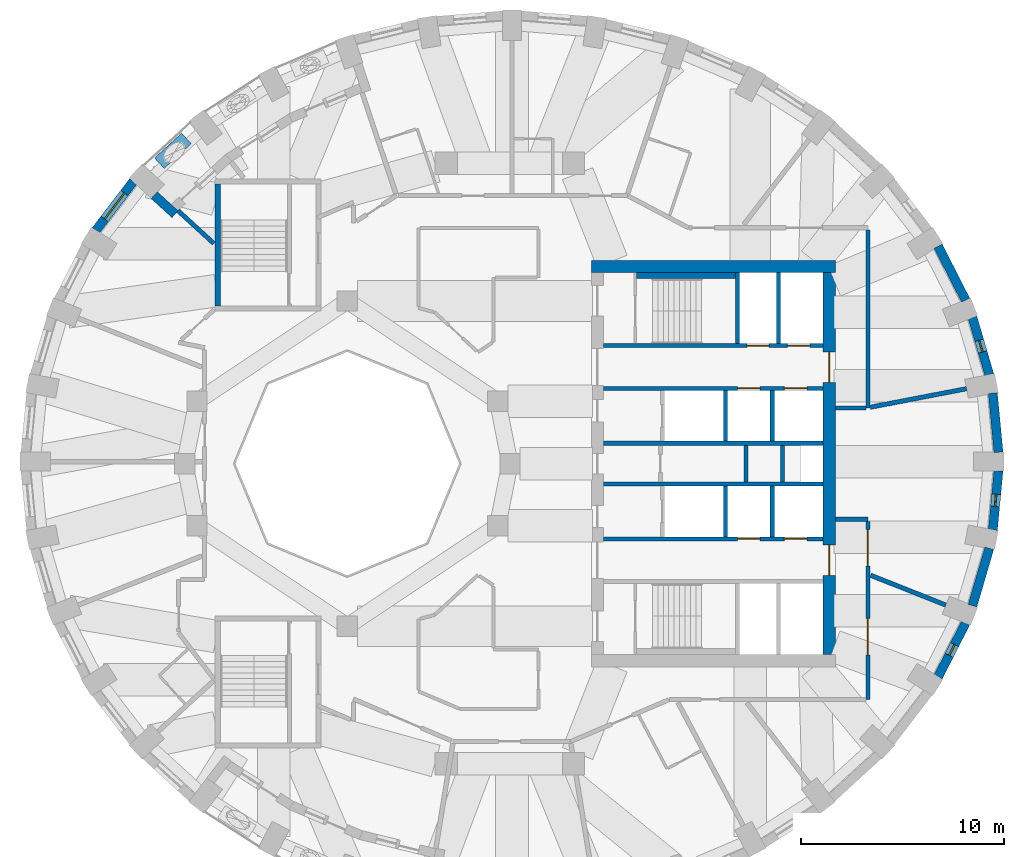
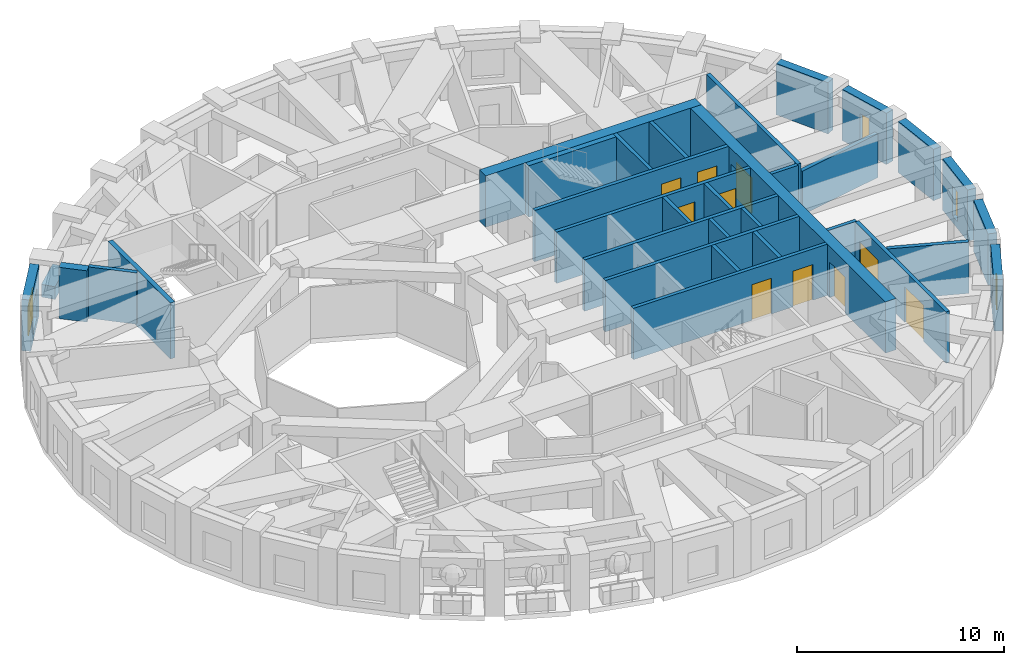
# One storey, part 6 of 12: 33 walls, 10 doors, 4 windows, 14 openings.
"""IFC4 building model written with IfcOpenShell, lengths in metres."""

from ifc_helpers import new_model, si_unit, direction, frame, frame_2d, origin, place, context, subcontext, project, spatial, rectangle, extrude, material, layer, layer_set, constituent, constituent_set, type_object, element, fill, save


model = new_model("IFC4")

# Units and contexts
model_context = context("Model", 3, precision=1e-05, world=origin(), true_north=direction((0.0, 1.0)))
body_context = subcontext(model_context, "Body", "Model", "MODEL_VIEW")
ifc_project = project(units=[si_unit("LENGTHUNIT", "METRE"), si_unit("AREAUNIT", "SQUARE_METRE"), si_unit("VOLUMEUNIT", "CUBIC_METRE"), si_unit("PLANEANGLEUNIT", "RADIAN"), si_unit("MASSUNIT", "GRAM", prefix="KILO")], contexts=[model_context])

# Site, building, storey
site_placement = place(None, origin())
site = spatial("IfcSite", under=ifc_project, at=site_placement, CompositionType="ELEMENT")
building_placement = place(site_placement, origin())
building = spatial("IfcBuilding", under=site, at=building_placement, Name="Taillehof Tower", CompositionType="ELEMENT")
storey_placement = place(building_placement, frame((0.0, 0.0, 171.5)))
storey = spatial("IfcBuildingStorey", under=building, at=storey_placement, Name="L48", CompositionType="ELEMENT", Elevation=171.5)

# Wall
ifc_material_1 = material(Name="Brick masonry", Category="masonry")
ifc_layer_1 = layer(ifc_material_1, 0.449951171875)
ifc_layer_set_1 = layer_set([ifc_layer_1], Name="Brick infill wall 450")
wall_type_1 = type_object("IfcWallType", Name="Brick infill wall 450", PredefinedType="SOLIDWALL", material=ifc_layer_set_1)
wall_1_placement = place(storey_placement, frame((24.030517578125, 0.55517578125, 0.0), z_axis=(0.0, 0.0, 1.0), x_axis=(-0.095265737322, 0.995451876935, 0.0)))
element("IfcWall", 1, at=wall_1_placement, inside=storey, type_object=wall_type_1, Name="Brick wall L48 bay 1", PredefinedType="SOLIDWALL", context=body_context, shape_type="SweptSolid", body=[
    extrude(rectangle(XDim=2.9267578125, YDim=0.449951171875, at=frame_2d((1.46337890625, 0.0))), origin(), (0.0, 0.0, 1.0), 3.02001953125),
])

# Wall, opening, window
wall_2_placement = place(storey_placement, frame((23.579833984375, 4.3623046875, 0.0), z_axis=(0.0, 0.0, 1.0), x_axis=(-0.281049481624, 0.959693278542, 0.0)))
wall_2 = element("IfcWall", 2, at=wall_2_placement, inside=storey, type_object=wall_type_1, Name="Brick wall L48 bay 2", PredefinedType="SOLIDWALL", context=body_context, shape_type="SweptSolid", body=[
    extrude(rectangle(XDim=2.947509765625, YDim=0.449951171875, at=frame_2d((1.4736328125, 0.0))), origin(), (0.0, 0.0, 1.0), 3.02001953125),
])
opening_1_placement = place(wall_2_placement, frame((1.173583984375, 0.0, 0.39990234375)))
opening_1 = element("IfcOpeningElement", 3, at=opening_1_placement, cuts=wall_2, Name="Opening W6", PredefinedType="OPENING", context=body_context, shape_type="SweptSolid", body=[
    extrude(rectangle(XDim=0.60009765625, YDim=1.75, at=frame_2d((0.300048828125, 0.875))), frame((0.0, 0.23486328125, 0.0), z_axis=(0.0, -1.0, 0.0), x_axis=(1.0, 0.0, 0.0)), (0.0, 0.0, 1.0), 0.469970703125),
])
ifc_material_2 = material(Name="Aluminium window frame with clear double glazing", Category="aluminium")
window_type_1 = type_object("IfcWindowType", Name="Slot window 600x1750", PartitioningType="SINGLE_PANEL", PredefinedType="WINDOW", material=ifc_material_2)
window_1_placement = place(opening_1_placement, origin())
window_1 = element("IfcWindow", 4, at=window_1_placement, inside=storey, type_object=window_type_1, Name="W6", OverallHeight=1.75, OverallWidth=0.60009765625, PartitioningType="SINGLE_PANEL", PredefinedType="WINDOW", context=body_context, shape_type="SweptSolid", body=[
    extrude(rectangle(XDim=0.60009765625, YDim=1.75, at=frame_2d((0.300048828125, 0.875))), frame((0.0, 0.034912109375, 0.0), z_axis=(0.0, -1.0, 0.0), x_axis=(1.0, 0.0, 0.0)), (0.0, 0.0, 1.0), 0.06005859375),
])
fill(opening_1, window_1)

# Wall
wall_3_placement = place(storey_placement, frame((22.415283203125, 8.036865234375, 0.0), z_axis=(0.0, 0.0, 1.0), x_axis=(-0.454133999889, 0.890933392653, 0.0)))
element("IfcWall", 5, at=wall_3_placement, inside=storey, type_object=wall_type_1, Name="Brick wall L48 bay 3", PredefinedType="SOLIDWALL", context=body_context, shape_type="SweptSolid", body=[
    extrude(rectangle(XDim=2.98583984375, YDim=0.449951171875, at=frame_2d((1.492919921875, 0.0))), origin(), (0.0, 0.0, 1.0), 3.02001953125),
])

# Wall, opening, window
wall_4_placement = place(storey_placement, frame((-18.528076171875, 13.878662109375, 0.0), z_axis=(0.0, 0.0, 1.0), x_axis=(-0.607817056371, -0.794077090706, 0.0)))
wall_4 = element("IfcWall", 6, at=wall_4_placement, inside=storey, type_object=wall_type_1, Name="Brick wall L48 bay 15", PredefinedType="SOLIDWALL", context=body_context, shape_type="SweptSolid", body=[
    extrude(rectangle(XDim=3.037109375, YDim=0.449951171875, at=frame_2d((1.5185546875, 0.0))), origin(), (0.0, 0.0, 1.0), 3.02001953125),
])
opening_2_placement = place(wall_4_placement, frame((0.718505859375, 0.0, 0.39990234375)))
opening_2 = element("IfcOpeningElement", 7, at=opening_2_placement, cuts=wall_4, Name="Opening W3", PredefinedType="OPENING", context=body_context, shape_type="SweptSolid", body=[
    extrude(rectangle(XDim=1.60009765625, YDim=1.75, at=frame_2d((0.800048828125, 0.875))), frame((0.0, 0.23486328125, 0.0), z_axis=(0.0, -1.0, 0.0), x_axis=(1.0, 0.0, 0.0)), (0.0, 0.0, 1.0), 0.469970703125),
])
ifc_material_3 = material(Name="Aluminium window frame with clear double glazing", Category="aluminium")
window_type_2 = type_object("IfcWindowType", Name="Deep-set window 1600x1750", PartitioningType="SINGLE_PANEL", PredefinedType="WINDOW", material=ifc_material_3)
window_2_placement = place(opening_2_placement, origin())
window_2 = element("IfcWindow", 8, at=window_2_placement, inside=storey, type_object=window_type_2, Name="W3", OverallHeight=1.75, OverallWidth=1.60009765625, PartitioningType="SINGLE_PANEL", PredefinedType="WINDOW", context=body_context, shape_type="SweptSolid", body=[
    extrude(rectangle(XDim=1.60009765625, YDim=1.75, at=frame_2d((0.800048828125, 0.875))), frame((0.0, 0.034912109375, 0.0), z_axis=(0.0, -1.0, 0.0), x_axis=(1.0, 0.0, 0.0)), (0.0, 0.0, 1.0), 0.06005859375),
])
fill(opening_2, window_2)

wall_5_placement = place(storey_placement, frame((21.059326171875, -10.4970703125, 0.0), z_axis=(0.0, 0.0, 1.0), x_axis=(0.454133999889, 0.890933392653, 0.0)))
wall_5 = element("IfcWall", 9, at=wall_5_placement, inside=storey, type_object=wall_type_1, Name="Brick wall L48 bay 34", PredefinedType="SOLIDWALL", context=body_context, shape_type="SweptSolid", body=[
    extrude(rectangle(XDim=2.98583984375, YDim=0.449951171875, at=frame_2d((1.492919921875, 0.0))), origin(), (0.0, 0.0, 1.0), 3.02001953125),
])
opening_3_placement = place(wall_5_placement, frame((1.19287109375, 0.0, 0.39990234375)))
opening_3 = element("IfcOpeningElement", 10, at=opening_3_placement, cuts=wall_5, Name="Opening W6", PredefinedType="OPENING", context=body_context, shape_type="SweptSolid", body=[
    extrude(rectangle(XDim=0.60009765625, YDim=1.75, at=frame_2d((0.300048828125, 0.875))), frame((0.0, 0.23486328125, 0.0), z_axis=(0.0, -1.0, 0.0), x_axis=(1.0, 0.0, 0.0)), (0.0, 0.0, 1.0), 0.469970703125),
])
window_3_placement = place(opening_3_placement, origin())
window_3 = element("IfcWindow", 11, at=window_3_placement, inside=storey, type_object=window_type_1, Name="W6", OverallHeight=1.75, OverallWidth=0.60009765625, PartitioningType="SINGLE_PANEL", PredefinedType="WINDOW", context=body_context, shape_type="SweptSolid", body=[
    extrude(rectangle(XDim=0.60009765625, YDim=1.75, at=frame_2d((0.300048828125, 0.875))), frame((0.0, 0.034912109375, 0.0), z_axis=(0.0, -1.0, 0.0), x_axis=(1.0, 0.0, 0.0)), (0.0, 0.0, 1.0), 0.06005859375),
])
fill(opening_3, window_3)

# Wall
wall_6_placement = place(storey_placement, frame((22.75146484375, -6.990966796875, 0.0), z_axis=(0.0, 0.0, 1.0), x_axis=(0.281049481624, 0.959693278542, 0.0)))
element("IfcWall", 12, at=wall_6_placement, inside=storey, type_object=wall_type_1, Name="Brick wall L48 bay 35", PredefinedType="SOLIDWALL", context=body_context, shape_type="SweptSolid", body=[
    extrude(rectangle(XDim=2.947509765625, YDim=0.449951171875, at=frame_2d((1.4736328125, 0.0))), origin(), (0.0, 0.0, 1.0), 3.02001953125),
])

# Wall, opening, window
wall_7_placement = place(storey_placement, frame((23.751708984375, -3.2685546875, 0.0), z_axis=(0.0, 0.0, 1.0), x_axis=(0.095257827044, 0.995452633924, 0.0)))
wall_7 = element("IfcWall", 13, at=wall_7_placement, inside=storey, type_object=wall_type_1, Name="Brick wall L48 bay 36", PredefinedType="SOLIDWALL", context=body_context, shape_type="SweptSolid", body=[
    extrude(rectangle(XDim=2.927001953125, YDim=0.449951171875, at=frame_2d((1.46337890625, 0.0))), origin(), (0.0, 0.0, 1.0), 3.02001953125),
])
opening_4_placement = place(wall_7_placement, frame((1.163330078125, 0.0, 0.39990234375)))
opening_4 = element("IfcOpeningElement", 14, at=opening_4_placement, cuts=wall_7, Name="Opening W6", PredefinedType="OPENING", context=body_context, shape_type="SweptSolid", body=[
    extrude(rectangle(XDim=0.60009765625, YDim=1.75, at=frame_2d((0.300048828125, 0.875))), frame((0.0, 0.23486328125, 0.0), z_axis=(0.0, -1.0, 0.0), x_axis=(1.0, 0.0, 0.0)), (0.0, 0.0, 1.0), 0.469970703125),
])
window_4_placement = place(opening_4_placement, origin())
window_4 = element("IfcWindow", 15, at=window_4_placement, inside=storey, type_object=window_type_1, Name="W6", OverallHeight=1.75, OverallWidth=0.60009765625, PartitioningType="SINGLE_PANEL", PredefinedType="WINDOW", context=body_context, shape_type="SweptSolid", body=[
    extrude(rectangle(XDim=0.60009765625, YDim=1.75, at=frame_2d((0.300048828125, 0.875))), frame((0.0, 0.034912109375, 0.0), z_axis=(0.0, -1.0, 0.0), x_axis=(1.0, 0.0, 0.0)), (0.0, 0.0, 1.0), 0.06005859375),
])
fill(opening_4, window_4)

# Walls
wall_8_placement = place(storey_placement, frame((-17.49853515625, 13.205322265625, 0.0), z_axis=(0.0, 0.0, 1.0), x_axis=(0.737918885826, -0.674889411638, 0.0)))
element("IfcWall", 16, at=wall_8_placement, inside=storey, type_object=wall_type_1, Name="Brick reveal L48 pocket 3", PredefinedType="SOLIDWALL", context=body_context, shape_type="SweptSolid", body=[
    extrude(rectangle(XDim=1.390625, YDim=0.449951171875, at=frame_2d((0.6953125, 0.0))), origin(), (0.0, 0.0, 1.0), 3.02001953125),
])
ifc_material_4 = material(Name="Calcium silicate masonry", Category="masonry")
ifc_layer_2 = layer(ifc_material_4, 0.199951171875)
ifc_layer_set_2 = layer_set([ifc_layer_2], Name="Compartment wall calcium silicate 200")
wall_type_2 = type_object("IfcWallType", Name="Compartment wall calcium silicate 200", PredefinedType="PARTITIONING", material=ifc_layer_set_2)
for number, where, z_axis, x_axis, name in (
    (17, (11.60009765625, -0.89990234375, 0.0), (0.0, 0.0, 1.0), (0.0, 1.0, 0.0), "Compartment wall FW"),
    (18, (13.39990234375, -0.89990234375, 0.0), (0.0, 0.0, 1.0), (0.0, 1.0, 0.0), "Compartment wall FW"),
):
    element("IfcWall", number, at=place(storey_placement, frame(where, z_axis=z_axis, x_axis=x_axis)), inside=storey, type_object=wall_type_2, Name=name, PredefinedType="PARTITIONING", context=body_context, shape_type="SweptSolid", body=[
        extrude(rectangle(XDim=1.7998046875, YDim=0.199951171875, at=frame_2d((0.89990234375, 0.0))), origin(), (0.0, 0.0, 1.0), 3.02001953125),
    ])
ifc_material_5 = material(Name="Gypsum board on steel studs, two layers each side", Category="steel")
ifc_layer_3 = layer(ifc_material_5, 0.199951171875)
ifc_layer_set_3 = layer_set([ifc_layer_3], Name="Compartment wall corridor 200")
wall_type_3 = type_object("IfcWallType", Name="Compartment wall corridor 200", PredefinedType="PARTITIONING", material=ifc_layer_set_3)
wall_9_placement = place(storey_placement, frame((17.60009765625, 11.5, 0.0), z_axis=(0.0, 0.0, 1.0), x_axis=(0.0, -1.0, 0.0)))
element("IfcWall", 19, at=wall_9_placement, inside=storey, type_object=wall_type_3, Name="Compartment wall", PredefinedType="PARTITIONING", context=body_context, shape_type="SweptSolid", body=[
    extrude(rectangle(XDim=8.76220703125, YDim=0.199951171875, at=frame_2d((4.381103515625, 0.0))), origin(), (0.0, 0.0, 1.0), 3.02001953125),
])
wall_10_placement = place(storey_placement, frame((17.5, 2.73779296875, 0.0), z_axis=(0.0, 0.0, 1.0), x_axis=(-1.0, 0.0, 0.0)))
element("IfcWall", 20, at=wall_10_placement, inside=storey, type_object=wall_type_3, Name="Compartment wall", PredefinedType="PARTITIONING", context=body_context, shape_type="SweptSolid", body=[
    extrude(rectangle(XDim=1.49609375, YDim=0.199951171875, at=frame_2d((0.748046875, 0.0))), origin(), (0.0, 0.0, 1.0), 3.02001953125),
])
wall_11_placement = place(storey_placement, frame((16.00390625, -2.73779296875, 0.0), z_axis=(0.0, 0.0, 1.0), x_axis=(1.0, 0.0, 0.0)))
element("IfcWall", 21, at=wall_11_placement, inside=storey, type_object=wall_type_3, Name="Compartment wall", PredefinedType="PARTITIONING", context=body_context, shape_type="SweptSolid", body=[
    extrude(rectangle(XDim=1.59619140625, YDim=0.199951171875, at=frame_2d((0.798095703125, 0.0))), origin(), (0.0, 0.0, 1.0), 3.02001953125),
])

# Wall, openings, doors
wall_12_placement = place(storey_placement, frame((17.60009765625, -2.837890625, 0.0), z_axis=(0.0, 0.0, 1.0), x_axis=(0.0, -1.0, 0.0)))
wall_12 = element("IfcWall", 22, at=wall_12_placement, inside=storey, type_object=wall_type_3, Name="Compartment wall", PredefinedType="PARTITIONING", context=body_context, shape_type="SweptSolid", body=[
    extrude(rectangle(XDim=8.76220703125, YDim=0.199951171875, at=frame_2d((4.381103515625, 0.0))), origin(), (0.0, 0.0, 1.0), 3.02001953125),
])
opening_5_placement = place(wall_12_placement, frame((4.775146484375, 0.0, 0.0)))
opening_5 = element("IfcOpeningElement", 23, at=opening_5_placement, cuts=wall_12, Name="Opening D4857", PredefinedType="OPENING", context=body_context, shape_type="SweptSolid", body=[
    extrude(rectangle(XDim=1.800048828125, YDim=2.10009765625, at=frame_2d((0.89990234375, 1.050048828125))), frame((0.0, 0.10986328125, 0.0), z_axis=(0.0, -1.0, 0.0), x_axis=(1.0, 0.0, 0.0)), (0.0, 0.0, 1.0), 0.219970703125),
])
opening_6_placement = place(wall_12_placement, frame((0.40478515625, 0.0, 0.0)))
opening_6 = element("IfcOpeningElement", 24, at=opening_6_placement, cuts=wall_12, Name="Opening D4858", PredefinedType="OPENING", context=body_context, shape_type="SweptSolid", body=[
    extrude(rectangle(XDim=1.800048828125, YDim=2.10009765625, at=frame_2d((0.89990234375, 1.050048828125))), frame((0.0, 0.10986328125, 0.0), z_axis=(0.0, -1.0, 0.0), x_axis=(1.0, 0.0, 0.0)), (0.0, 0.0, 1.0), 0.219970703125),
])
ifc_material_6 = material(Name="Timber door leaf in steel frame", Category="steel")
door_type_1 = type_object("IfcDoorType", Name="Lounge and meeting room double door EI 30 1800 x 2100", OperationType="SINGLE_SWING_LEFT", PredefinedType="DOOR", material=ifc_material_6)
door_1_placement = place(opening_5_placement, origin())
door_1 = element("IfcDoor", 25, at=door_1_placement, inside=storey, type_object=door_type_1, Name="D4857", OperationType="DOUBLE_DOOR_SINGLE_SWING", OverallHeight=2.10009765625, OverallWidth=1.800048828125, PredefinedType="DOOR", context=body_context, shape_type="SweptSolid", body=[
    extrude(rectangle(XDim=1.800048828125, YDim=2.10009765625, at=frame_2d((0.89990234375, 1.050048828125))), frame((0.0, 0.02490234375, 0.0), z_axis=(0.0, -1.0, 0.0), x_axis=(1.0, 0.0, 0.0)), (0.0, 0.0, 1.0), 0.050048828125),
])
fill(opening_5, door_1)
door_2_placement = place(opening_6_placement, origin())
door_2 = element("IfcDoor", 26, at=door_2_placement, inside=storey, type_object=door_type_1, Name="D4858", OperationType="DOUBLE_DOOR_SINGLE_SWING", OverallHeight=2.10009765625, OverallWidth=1.800048828125, PredefinedType="DOOR", context=body_context, shape_type="SweptSolid", body=[
    extrude(rectangle(XDim=1.800048828125, YDim=2.10009765625, at=frame_2d((0.89990234375, 1.050048828125))), frame((0.0, 0.02490234375, 0.0), z_axis=(0.0, -1.0, 0.0), x_axis=(1.0, 0.0, 0.0)), (0.0, 0.0, 1.0), 0.050048828125),
])
fill(opening_6, door_2)

# Walls
ifc_material_7 = material(Name="Gypsum board on double steel studs with mineral wool", Category="steel")
ifc_layer_4 = layer(ifc_material_7, 0.219970703125)
ifc_layer_set_4 = layer_set([ifc_layer_4], Name="Compartment wall guest room 220")
wall_type_4 = type_object("IfcWallType", Name="Compartment wall guest room 220", PredefinedType="PARTITIONING", material=ifc_layer_set_4)
wall_13_placement = place(storey_placement, frame((22.457275390625, 3.68310546875, 0.0), z_axis=(0.0, 0.0, 1.0), x_axis=(-0.982022686577, -0.188762928159, 0.0)))
element("IfcWall", 27, at=wall_13_placement, inside=storey, type_object=wall_type_4, Name="Compartment wall", PredefinedType="PARTITIONING", context=body_context, shape_type="SweptSolid", body=[
    extrude(rectangle(XDim=4.82421875, YDim=0.219970703125, at=frame_2d((2.412109375, 0.0))), origin(), (0.0, 0.0, 1.0), 2.570068359375),
])
wall_14_placement = place(storey_placement, frame((-16.333984375, 12.445068359375, 0.0), z_axis=(0.0, 0.0, 1.0), x_axis=(0.737857346278, -0.674956692347, 0.0)))
element("IfcWall", 28, at=wall_14_placement, inside=storey, type_object=wall_type_4, Name="Compartment wall", PredefinedType="PARTITIONING", context=body_context, shape_type="SweptSolid", body=[
    extrude(rectangle(XDim=2.390869140625, YDim=0.219970703125, at=frame_2d((1.1953125, 0.0))), origin(), (0.0, 0.0, 1.0), 3.02001953125),
])
wall_15_placement = place(storey_placement, frame((21.438720703125, -6.959716796875, 0.0), z_axis=(0.0, 0.0, 1.0), x_axis=(-0.929517399972, 0.368778257426, 0.0)))
element("IfcWall", 29, at=wall_15_placement, inside=storey, type_object=wall_type_4, Name="Compartment wall", PredefinedType="PARTITIONING", context=body_context, shape_type="SweptSolid", body=[
    extrude(rectangle(XDim=3.982177734375, YDim=0.219970703125, at=frame_2d((1.9912109375, 0.0))), origin(), (0.0, 0.0, 1.0), 3.02001953125),
])
ifc_material_8 = material(Name="Calcium silicate masonry", Category="masonry")
ifc_layer_5 = layer(ifc_material_8, 0.300048828125)
ifc_layer_set_5 = layer_set([ifc_layer_5], Name="Compartment wall lining calcium silicate 300")
wall_type_5 = type_object("IfcWallType", Name="Compartment wall lining calcium silicate 300", PredefinedType="PARTITIONING", material=ifc_layer_set_5)
wall_16_placement = place(storey_placement, frame((6.219970703125, 9.25, 0.0), z_axis=(0.0, 0.0, 1.0), x_axis=(1.0, 0.0, 0.0)))
element("IfcWall", 30, at=wall_16_placement, inside=storey, type_object=wall_type_5, Name="Compartment wall FW", PredefinedType="PARTITIONING", context=body_context, shape_type="SweptSolid", body=[
    extrude(rectangle(XDim=4.880126953125, YDim=0.300048828125, at=frame_2d((2.43994140625, 0.0))), origin(), (0.0, 0.0, 1.0), 3.02001953125),
])

# Wall, openings, doors
ifc_material_9 = material(Name="Concrete C80/95", Category="concrete")
ifc_layer_6 = layer(ifc_material_9, 0.60009765625)
ifc_layer_set_6 = layer_set([ifc_layer_6], Name="Core wall C80/95 600")
wall_type_6 = type_object("IfcWallType", Name="Core wall C80/95 600", PredefinedType="SHEAR", material=ifc_layer_set_6)
wall_17_placement = place(storey_placement, frame((15.699951171875, -9.39990234375, 0.0), z_axis=(0.0, 0.0, 1.0), x_axis=(0.0, 1.0, 0.0)))
wall_17 = element("IfcWall", 31, at=wall_17_placement, inside=storey, type_object=wall_type_6, Name="Core wall CW05", PredefinedType="SHEAR", context=body_context, shape_type="SweptSolid", body=[
    extrude(rectangle(XDim=18.7998046875, YDim=0.60009765625, at=frame_2d((9.39990234375, 0.0))), origin(), (0.0, 0.0, 1.0), 3.02001953125),
])
opening_7_placement = place(wall_17_placement, frame((13.39990234375, 0.0, 0.0)))
opening_7 = element("IfcOpeningElement", 32, at=opening_7_placement, cuts=wall_17, Name="Opening D4808", PredefinedType="OPENING", context=body_context, shape_type="SweptSolid", body=[
    extrude(rectangle(XDim=1.5, YDim=2.10009765625, at=frame_2d((0.75, 1.050048828125))), frame((0.0, 0.31005859375, 0.0), z_axis=(0.0, -1.0, 0.0), x_axis=(1.0, 0.0, 0.0)), (0.0, 0.0, 1.0), 0.6201171875),
])
opening_8_placement = place(wall_17_placement, frame((3.89990234375, 0.0, 0.0)))
opening_8 = element("IfcOpeningElement", 33, at=opening_8_placement, cuts=wall_17, Name="Opening D4809", PredefinedType="OPENING", context=body_context, shape_type="SweptSolid", body=[
    extrude(rectangle(XDim=1.5, YDim=2.10009765625, at=frame_2d((0.75, 1.050048828125))), frame((0.0, 0.31005859375, 0.0), z_axis=(0.0, -1.0, 0.0), x_axis=(1.0, 0.0, 0.0)), (0.0, 0.0, 1.0), 0.6201171875),
])
ifc_material_10 = material(Name="Steel-faced fire door", Category="steel")
door_type_2 = type_object("IfcDoorType", Name="Lift lobby east door 1500x2100", OperationType="DOUBLE_DOOR_SINGLE_SWING", PredefinedType="DOOR", material=ifc_material_10)
door_3_placement = place(opening_7_placement, origin())
door_3 = element("IfcDoor", 34, at=door_3_placement, inside=storey, type_object=door_type_2, Name="Lift lobby east door north", OperationType="DOUBLE_DOOR_SINGLE_SWING", OverallHeight=2.10009765625, OverallWidth=1.5, PredefinedType="DOOR", context=body_context, shape_type="SweptSolid", body=[
    extrude(rectangle(XDim=1.5, YDim=2.10009765625, at=frame_2d((0.75, 1.050048828125))), frame((0.0, 0.02490234375, 0.0), z_axis=(0.0, -1.0, 0.0), x_axis=(1.0, 0.0, 0.0)), (0.0, 0.0, 1.0), 0.050048828125),
])
fill(opening_7, door_3)
door_4_placement = place(opening_8_placement, origin())
door_4 = element("IfcDoor", 35, at=door_4_placement, inside=storey, type_object=door_type_2, Name="Lift lobby east door south", OperationType="DOUBLE_DOOR_SINGLE_SWING", OverallHeight=2.10009765625, OverallWidth=1.5, PredefinedType="DOOR", context=body_context, shape_type="SweptSolid", body=[
    extrude(rectangle(XDim=1.5, YDim=2.10009765625, at=frame_2d((0.75, 1.050048828125))), frame((0.0, 0.02490234375, 0.0), z_axis=(0.0, -1.0, 0.0), x_axis=(1.0, 0.0, 0.0)), (0.0, 0.0, 1.0), 0.050048828125),
])
fill(opening_8, door_4)

# Walls
wall_18_placement = place(storey_placement, frame((4.0, 9.699951171875, 0.0), z_axis=(0.0, 0.0, 1.0), x_axis=(1.0, 0.0, 0.0)))
element("IfcWall", 36, at=wall_18_placement, inside=storey, type_object=wall_type_6, Name="Core wall CW06", PredefinedType="SHEAR", context=body_context, shape_type="SweptSolid", body=[
    extrude(rectangle(XDim=12.0, YDim=0.60009765625, at=frame_2d((6.0, 0.0))), origin(), (0.0, 0.0, 1.0), 3.02001953125),
])
ifc_material_11 = material(Name="Concrete C30/37 precast", Category="concrete")
ifc_constituent_1 = constituent(ifc_material_11, Name="Structure", Category="concrete")
ifc_material_12 = material(Name="Insulated lining")
ifc_constituent_2 = constituent(ifc_material_12, Name="Lining")
ifc_constituent_set = constituent_set(constituents=[ifc_constituent_1, ifc_constituent_2], Name="Planter trough 700x750")
wall_type_7 = type_object("IfcWallType", Name="Planter trough 700x750", PredefinedType="USERDEFINED", material=ifc_constituent_set)
wall_19_placement = place(storey_placement, frame((-15.91552734375, 15.9912109375, 0.0), z_axis=(0.0, 0.0, 1.0), x_axis=(-0.737874397391, -0.674938051731, 0.0)))
element("IfcWall", 37, at=wall_19_placement, inside=storey, type_object=wall_type_7, Name="Planter L48 bay 14", ObjectType="PLANTER", PredefinedType="USERDEFINED", context=body_context, shape_type="SweptSolid", body=[
    extrude(rectangle(XDim=1.800048828125, YDim=0.699951171875, at=frame_2d((0.89990234375, 0.0))), origin(), (0.0, 0.0, 1.0), 0.75),
])

# Wall, openings, doors
ifc_material_13 = material(Name="Concrete C50/60", Category="concrete")
ifc_layer_7 = layer(ifc_material_13, 0.199951171875)
ifc_layer_set_7 = layer_set([ifc_layer_7], Name="Shaft wall C50/60 200")
wall_type_8 = type_object("IfcWallType", Name="Shaft wall C50/60 200", PredefinedType="SHEAR", material=ifc_layer_set_7)
wall_20_placement = place(storey_placement, frame((4.60009765625, 5.800048828125, 0.0), z_axis=(0.0, 0.0, 1.0), x_axis=(1.0, 0.0, 0.0)))
wall_20 = element("IfcWall", 38, at=wall_20_placement, inside=storey, type_object=wall_type_8, Name="Shaft wall SW", PredefinedType="SHEAR", context=body_context, shape_type="SweptSolid", body=[
    extrude(rectangle(XDim=10.7998046875, YDim=0.199951171875, at=frame_2d((5.39990234375, 0.0))), origin(), (0.0, 0.0, 1.0), 3.02001953125),
])
opening_9_placement = place(wall_20_placement, frame((7.050048828125, 0.0, 0.0)))
opening_9 = element("IfcOpeningElement", 39, at=opening_9_placement, cuts=wall_20, Name="Opening LD1", PredefinedType="OPENING", context=body_context, shape_type="SweptSolid", body=[
    extrude(rectangle(XDim=1.10009765625, YDim=2.10009765625, at=frame_2d((0.550048828125, 1.050048828125))), frame((0.0, 0.10986328125, 0.0), z_axis=(0.0, -1.0, 0.0), x_axis=(1.0, 0.0, 0.0)), (0.0, 0.0, 1.0), 0.219970703125),
])
opening_10_placement = place(wall_20_placement, frame((9.050048828125, 0.0, 0.0)))
opening_10 = element("IfcOpeningElement", 40, at=opening_10_placement, cuts=wall_20, Name="Opening LD1", PredefinedType="OPENING", context=body_context, shape_type="SweptSolid", body=[
    extrude(rectangle(XDim=1.10009765625, YDim=2.10009765625, at=frame_2d((0.550048828125, 1.050048828125))), frame((0.0, 0.10986328125, 0.0), z_axis=(0.0, -1.0, 0.0), x_axis=(1.0, 0.0, 0.0)), (0.0, 0.0, 1.0), 0.219970703125),
])
ifc_material_14 = material(Name="Stainless steel", Category="steel")
door_type_3 = type_object("IfcDoorType", Name="Lift landing door LD1 1100x2100", OperationType="DOUBLE_DOOR_SLIDING", PredefinedType="DOOR", material=ifc_material_14)
door_5_placement = place(opening_9_placement, origin())
door_5 = element("IfcDoor", 41, at=door_5_placement, inside=storey, type_object=door_type_3, Name="Landing door HR1", OperationType="DOUBLE_DOOR_SLIDING", OverallHeight=2.10009765625, OverallWidth=1.10009765625, PredefinedType="DOOR", context=body_context, shape_type="SweptSolid", body=[
    extrude(rectangle(XDim=1.10009765625, YDim=2.10009765625, at=frame_2d((0.550048828125, 1.050048828125))), frame((0.0, 0.02490234375, 0.0), z_axis=(0.0, -1.0, 0.0), x_axis=(1.0, 0.0, 0.0)), (0.0, 0.0, 1.0), 0.050048828125),
])
fill(opening_9, door_5)
door_6_placement = place(opening_10_placement, origin())
door_6 = element("IfcDoor", 42, at=door_6_placement, inside=storey, type_object=door_type_3, Name="Landing door HR2", OperationType="DOUBLE_DOOR_SLIDING", OverallHeight=2.10009765625, OverallWidth=1.10009765625, PredefinedType="DOOR", context=body_context, shape_type="SweptSolid", body=[
    extrude(rectangle(XDim=1.10009765625, YDim=2.10009765625, at=frame_2d((0.550048828125, 1.050048828125))), frame((0.0, 0.02490234375, 0.0), z_axis=(0.0, -1.0, 0.0), x_axis=(1.0, 0.0, 0.0)), (0.0, 0.0, 1.0), 0.050048828125),
])
fill(opening_10, door_6)

wall_21_placement = place(storey_placement, frame((4.60009765625, 3.699951171875, 0.0), z_axis=(0.0, 0.0, 1.0), x_axis=(1.0, 0.0, 0.0)))
wall_21 = element("IfcWall", 43, at=wall_21_placement, inside=storey, type_object=wall_type_8, Name="Shaft wall SW", PredefinedType="SHEAR", context=body_context, shape_type="SweptSolid", body=[
    extrude(rectangle(XDim=10.7998046875, YDim=0.199951171875, at=frame_2d((5.39990234375, 0.0))), origin(), (0.0, 0.0, 1.0), 3.02001953125),
])
opening_11_placement = place(wall_21_placement, frame((6.60009765625, 0.0, 0.0)))
opening_11 = element("IfcOpeningElement", 44, at=opening_11_placement, cuts=wall_21, Name="Opening LD1", PredefinedType="OPENING", context=body_context, shape_type="SweptSolid", body=[
    extrude(rectangle(XDim=1.10009765625, YDim=2.10009765625, at=frame_2d((0.550048828125, 1.050048828125))), frame((0.0, 0.10986328125, 0.0), z_axis=(0.0, -1.0, 0.0), x_axis=(1.0, 0.0, 0.0)), (0.0, 0.0, 1.0), 0.219970703125),
])
opening_12_placement = place(wall_21_placement, frame((8.89990234375, 0.0, 0.0)))
opening_12 = element("IfcOpeningElement", 45, at=opening_12_placement, cuts=wall_21, Name="Opening LD1", PredefinedType="OPENING", context=body_context, shape_type="SweptSolid", body=[
    extrude(rectangle(XDim=1.10009765625, YDim=2.10009765625, at=frame_2d((0.550048828125, 1.050048828125))), frame((0.0, 0.10986328125, 0.0), z_axis=(0.0, -1.0, 0.0), x_axis=(1.0, 0.0, 0.0)), (0.0, 0.0, 1.0), 0.219970703125),
])
door_7_placement = place(opening_11_placement, origin())
door_7 = element("IfcDoor", 46, at=door_7_placement, inside=storey, type_object=door_type_3, Name="Landing door HR3", OperationType="DOUBLE_DOOR_SLIDING", OverallHeight=2.10009765625, OverallWidth=1.10009765625, PredefinedType="DOOR", context=body_context, shape_type="SweptSolid", body=[
    extrude(rectangle(XDim=1.10009765625, YDim=2.10009765625, at=frame_2d((0.550048828125, 1.050048828125))), frame((0.0, 0.02490234375, 0.0), z_axis=(0.0, -1.0, 0.0), x_axis=(1.0, 0.0, 0.0)), (0.0, 0.0, 1.0), 0.050048828125),
])
fill(opening_11, door_7)
door_8_placement = place(opening_12_placement, origin())
door_8 = element("IfcDoor", 47, at=door_8_placement, inside=storey, type_object=door_type_3, Name="Landing door HR4", OperationType="DOUBLE_DOOR_SLIDING", OverallHeight=2.10009765625, OverallWidth=1.10009765625, PredefinedType="DOOR", context=body_context, shape_type="SweptSolid", body=[
    extrude(rectangle(XDim=1.10009765625, YDim=2.10009765625, at=frame_2d((0.550048828125, 1.050048828125))), frame((0.0, 0.02490234375, 0.0), z_axis=(0.0, -1.0, 0.0), x_axis=(1.0, 0.0, 0.0)), (0.0, 0.0, 1.0), 0.050048828125),
])
fill(opening_12, door_8)

# Walls
for number, where, z_axis, x_axis, name in (
    (48, (4.60009765625, 1.0, 0.0), (0.0, 0.0, 1.0), (1.0, 0.0, 0.0), "Shaft wall SW"),
    (49, (4.60009765625, -1.0, 0.0), (0.0, 0.0, 1.0), (1.0, 0.0, 0.0), "Shaft wall SW"),
):
    element("IfcWall", number, at=place(storey_placement, frame(where, z_axis=z_axis, x_axis=x_axis)), inside=storey, type_object=wall_type_8, Name=name, PredefinedType="SHEAR", context=body_context, shape_type="SweptSolid", body=[
        extrude(rectangle(XDim=10.7998046875, YDim=0.199951171875, at=frame_2d((5.39990234375, 0.0))), origin(), (0.0, 0.0, 1.0), 3.02001953125),
    ])

# Wall, openings, doors
wall_22_placement = place(storey_placement, frame((4.60009765625, -3.699951171875, 0.0), z_axis=(0.0, 0.0, 1.0), x_axis=(1.0, 0.0, 0.0)))
wall_22 = element("IfcWall", 50, at=wall_22_placement, inside=storey, type_object=wall_type_8, Name="Shaft wall SW", PredefinedType="SHEAR", context=body_context, shape_type="SweptSolid", body=[
    extrude(rectangle(XDim=10.7998046875, YDim=0.199951171875, at=frame_2d((5.39990234375, 0.0))), origin(), (0.0, 0.0, 1.0), 3.02001953125),
])
opening_13_placement = place(wall_22_placement, frame((6.60009765625, 0.0, 0.0)))
opening_13 = element("IfcOpeningElement", 51, at=opening_13_placement, cuts=wall_22, Name="Opening LD1", PredefinedType="OPENING", context=body_context, shape_type="SweptSolid", body=[
    extrude(rectangle(XDim=1.10009765625, YDim=2.10009765625, at=frame_2d((0.550048828125, 1.050048828125))), frame((0.0, 0.10986328125, 0.0), z_axis=(0.0, -1.0, 0.0), x_axis=(1.0, 0.0, 0.0)), (0.0, 0.0, 1.0), 0.219970703125),
])
opening_14_placement = place(wall_22_placement, frame((8.89990234375, 0.0, 0.0)))
opening_14 = element("IfcOpeningElement", 52, at=opening_14_placement, cuts=wall_22, Name="Opening LD1", PredefinedType="OPENING", context=body_context, shape_type="SweptSolid", body=[
    extrude(rectangle(XDim=1.10009765625, YDim=2.10009765625, at=frame_2d((0.550048828125, 1.050048828125))), frame((0.0, 0.10986328125, 0.0), z_axis=(0.0, -1.0, 0.0), x_axis=(1.0, 0.0, 0.0)), (0.0, 0.0, 1.0), 0.219970703125),
])
door_9_placement = place(opening_13_placement, origin())
door_9 = element("IfcDoor", 53, at=door_9_placement, inside=storey, type_object=door_type_3, Name="Landing door HR5", OperationType="DOUBLE_DOOR_SLIDING", OverallHeight=2.10009765625, OverallWidth=1.10009765625, PredefinedType="DOOR", context=body_context, shape_type="SweptSolid", body=[
    extrude(rectangle(XDim=1.10009765625, YDim=2.10009765625, at=frame_2d((0.550048828125, 1.050048828125))), frame((0.0, 0.02490234375, 0.0), z_axis=(0.0, -1.0, 0.0), x_axis=(1.0, 0.0, 0.0)), (0.0, 0.0, 1.0), 0.050048828125),
])
fill(opening_13, door_9)
door_10_placement = place(opening_14_placement, origin())
door_10 = element("IfcDoor", 54, at=door_10_placement, inside=storey, type_object=door_type_3, Name="Landing door HR6", OperationType="DOUBLE_DOOR_SLIDING", OverallHeight=2.10009765625, OverallWidth=1.10009765625, PredefinedType="DOOR", context=body_context, shape_type="SweptSolid", body=[
    extrude(rectangle(XDim=1.10009765625, YDim=2.10009765625, at=frame_2d((0.550048828125, 1.050048828125))), frame((0.0, 0.02490234375, 0.0), z_axis=(0.0, -1.0, 0.0), x_axis=(1.0, 0.0, 0.0)), (0.0, 0.0, 1.0), 0.050048828125),
])
fill(opening_14, door_10)

# Walls
for number, where, z_axis, x_axis, name in (
    (55, (11.199951171875, 5.89990234375, 0.0), (0.0, 0.0, 1.0), (0.0, 1.0, 0.0), "Shaft wall SW"),
    (56, (13.199951171875, 5.89990234375, 0.0), (0.0, 0.0, 1.0), (0.0, 1.0, 0.0), "Shaft wall SW"),
):
    element("IfcWall", number, at=place(storey_placement, frame(where, z_axis=z_axis, x_axis=x_axis)), inside=storey, type_object=wall_type_8, Name=name, PredefinedType="SHEAR", context=body_context, shape_type="SweptSolid", body=[
        extrude(rectangle(XDim=3.5, YDim=0.199951171875, at=frame_2d((1.75, 0.0))), origin(), (0.0, 0.0, 1.0), 3.02001953125),
    ])
for number, where, z_axis, x_axis, name in (
    (57, (10.60009765625, 1.10009765625, 0.0), (0.0, 0.0, 1.0), (0.0, 1.0, 0.0), "Shaft wall SW"),
    (58, (10.60009765625, -3.60009765625, 0.0), (0.0, 0.0, 1.0), (0.0, 1.0, 0.0), "Shaft wall SW"),
    (59, (12.89990234375, 1.10009765625, 0.0), (0.0, 0.0, 1.0), (0.0, 1.0, 0.0), "Shaft wall SW"),
    (60, (12.89990234375, -3.60009765625, 0.0), (0.0, 0.0, 1.0), (0.0, 1.0, 0.0), "Shaft wall SW"),
):
    element("IfcWall", number, at=place(storey_placement, frame(where, z_axis=z_axis, x_axis=x_axis)), inside=storey, type_object=wall_type_8, Name=name, PredefinedType="SHEAR", context=body_context, shape_type="SweptSolid", body=[
        extrude(rectangle(XDim=2.5, YDim=0.199951171875, at=frame_2d((1.25, 0.0))), origin(), (0.0, 0.0, 1.0), 3.02001953125),
    ])
ifc_material_15 = material(Name="Concrete C50/60", Category="concrete")
ifc_layer_8 = layer(ifc_material_15, 0.25)
ifc_layer_set_8 = layer_set([ifc_layer_8], Name="Stair wall C50/60 250")
wall_type_9 = type_object("IfcWallType", Name="Stair wall C50/60 250", PredefinedType="SHEAR", material=ifc_layer_set_8)
wall_23_placement = place(storey_placement, frame((-14.375, 7.75, -0.280029296875), z_axis=(0.0, 0.0, 1.0), x_axis=(0.0, 1.0, 0.0)))
element("IfcWall", 61, at=wall_23_placement, inside=storey, type_object=wall_type_9, Name="Stair wall SC", PredefinedType="SHEAR", context=body_context, shape_type="SweptSolid", body=[
    extrude(rectangle(XDim=6.0, YDim=0.25, at=frame_2d((3.0, 0.0))), origin(), (0.0, 0.0, 1.0), 3.300048828125),
])

save(model, "model.ifc")
